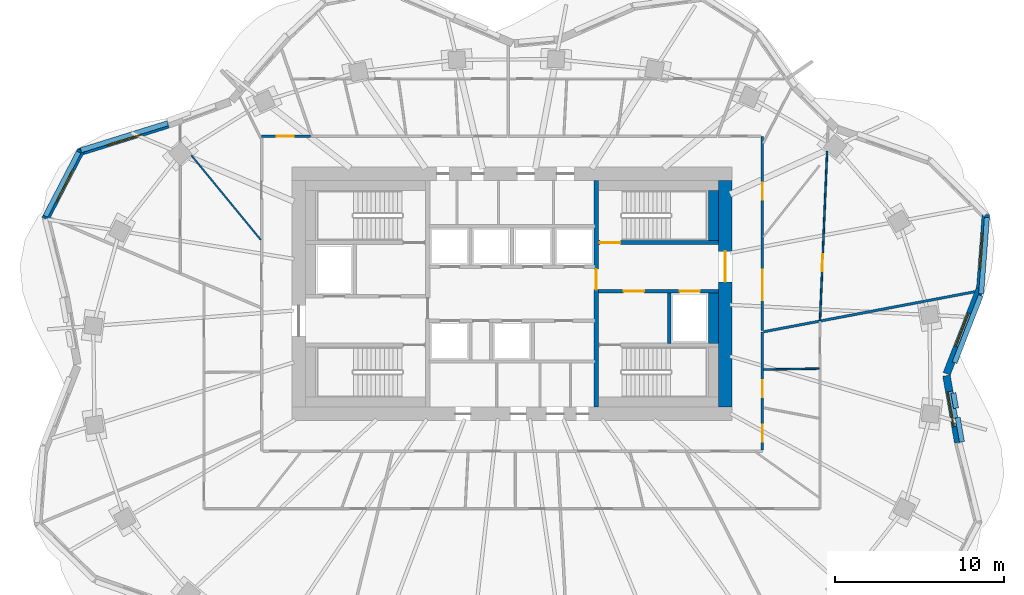
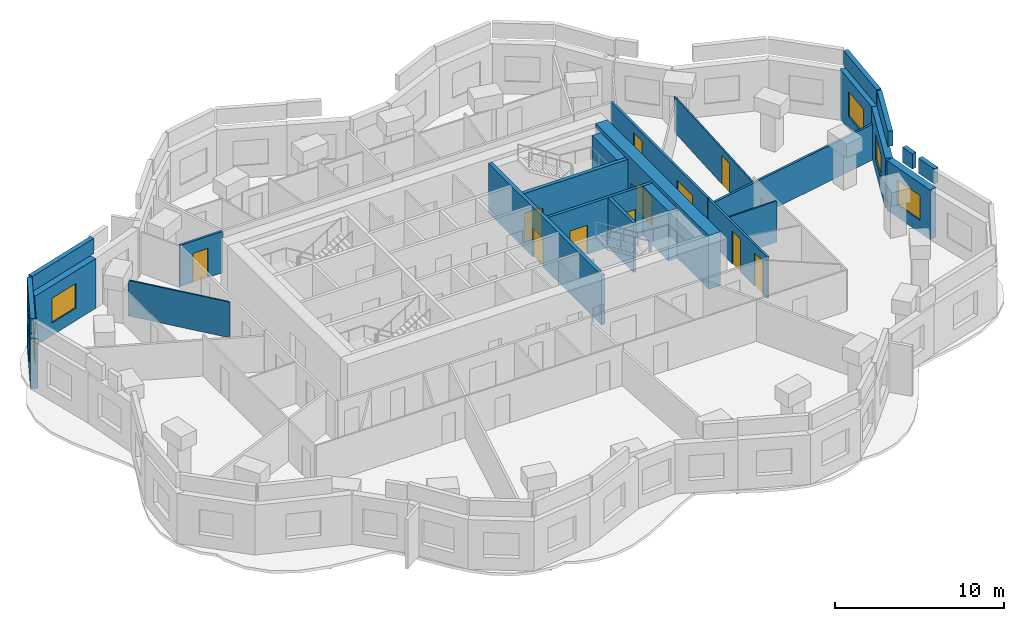
# One storey, part 7 of 11: 25 walls, 11 doors, 5 windows, 16 openings.
"""IFC4 building model written with IfcOpenShell, lengths in metres."""

from ifc_helpers import new_model, si_unit, direction, frame, frame_2d, origin, place, context, subcontext, project, spatial, rectangle, extrude, material, layer, layer_set, type_object, element, fill, save


model = new_model("IFC4")

# Units and contexts
model_context = context("Model", 3, precision=1e-05, world=origin(), true_north=direction((0.0, 1.0)))
body_context = subcontext(model_context, "Body", "Model", "MODEL_VIEW")
ifc_project = project(units=[si_unit("LENGTHUNIT", "METRE"), si_unit("AREAUNIT", "SQUARE_METRE"), si_unit("VOLUMEUNIT", "CUBIC_METRE"), si_unit("PLANEANGLEUNIT", "RADIAN"), si_unit("MASSUNIT", "GRAM", prefix="KILO")], contexts=[model_context])

# Site, building, storey
site_placement = place(None, origin())
site = spatial("IfcSite", under=ifc_project, at=site_placement, CompositionType="ELEMENT")
building_placement = place(site_placement, origin())
building = spatial("IfcBuilding", under=site, at=building_placement, Name="Rubra Terraces Tower", CompositionType="ELEMENT")
storey_placement = place(building_placement, frame((0.0, 0.0, 260.39990234375)))
storey = spatial("IfcBuildingStorey", under=building, at=storey_placement, Name="L64", CompositionType="ELEMENT", Elevation=260.39990234375)

# Wall, opening, window
ifc_material_1 = material(Name="Brick masonry red-brown", Category="masonry")
ifc_layer_1 = layer(ifc_material_1, 0.449951171875)
ifc_layer_set_1 = layer_set([ifc_layer_1], Name="Brick masonry red-brown")
wall_type_1 = type_object("IfcWallType", Name="Brick facade wall 450", PredefinedType="SOLIDWALL", material=ifc_layer_set_1)
wall_1_placement = place(storey_placement, frame((25.68701171875, -0.226318359375, 0.0), z_axis=(0.0, 0.0, 1.0), x_axis=(0.363500194409, 0.931594122279, 0.0)))
wall_1 = element("IfcWall", 1, at=wall_1_placement, inside=storey, type_object=wall_type_1, Name="Facade wall L64 bay 1", PredefinedType="SOLIDWALL", context=body_context, shape_type="SweptSolid", body=[
    extrude(rectangle(XDim=5.498779296875, YDim=0.449951171875, at=frame_2d((2.74951171875, 0.0))), origin(), (0.0, 0.0, 1.0), 3.60009765625),
])
opening_1_placement = place(wall_1_placement, frame((1.69921875, 0.0, 0.89990234375)))
opening_1 = element("IfcOpeningElement", 2, at=opening_1_placement, cuts=wall_1, Name="Opening W1Z", PredefinedType="OPENING", context=body_context, shape_type="SweptSolid", body=[
    extrude(rectangle(XDim=2.10009765625, YDim=1.800048828125, at=frame_2d((1.050048828125, 0.89990234375))), frame((0.0, 0.23486328125, 0.0), z_axis=(0.0, -1.0, 0.0), x_axis=(1.0, 0.0, 0.0)), (0.0, 0.0, 1.0), 0.469970703125),
])
ifc_material_2 = material(Name="Clear glass in aluminium frame", Category="aluminium")
window_type = type_object("IfcWindowType", Name="Fixed deep-set window under transfer level 2100 x 1800", PartitioningType="SINGLE_PANEL", PredefinedType="WINDOW", material=ifc_material_2)
window_1_placement = place(opening_1_placement, origin())
window_1 = element("IfcWindow", 3, at=window_1_placement, inside=storey, type_object=window_type, Name="Window L64 bay 1", OverallHeight=1.800048828125, OverallWidth=2.10009765625, PartitioningType="SINGLE_PANEL", PredefinedType="WINDOW", context=body_context, shape_type="SweptSolid", body=[
    extrude(rectangle(XDim=2.10009765625, YDim=1.800048828125, at=frame_2d((1.050048828125, 0.89990234375))), frame((0.0, 0.135009765625, 0.0), z_axis=(0.0, -1.0, 0.0), x_axis=(1.0, 0.0, 0.0)), (0.0, 0.0, 1.0), 0.06005859375),
])
fill(opening_1, window_1)

wall_2_placement = place(storey_placement, frame((27.671142578125, 4.831298828125, 0.0), z_axis=(0.0, 0.0, 1.0), x_axis=(0.075658122047, 0.997133816781, 0.0)))
wall_2 = element("IfcWall", 4, at=wall_2_placement, inside=storey, type_object=wall_type_1, Name="Facade wall L64 bay 2", PredefinedType="SOLIDWALL", context=body_context, shape_type="SweptSolid", body=[
    extrude(rectangle(XDim=4.369140625, YDim=0.449951171875, at=frame_2d((2.1845703125, 0.0))), origin(), (0.0, 0.0, 1.0), 3.60009765625),
])
opening_2_placement = place(wall_2_placement, frame((1.134521484375, 0.0, 0.89990234375)))
opening_2 = element("IfcOpeningElement", 5, at=opening_2_placement, cuts=wall_2, Name="Opening W1Z", PredefinedType="OPENING", context=body_context, shape_type="SweptSolid", body=[
    extrude(rectangle(XDim=2.10009765625, YDim=1.800048828125, at=frame_2d((1.050048828125, 0.89990234375))), frame((0.0, 0.23486328125, 0.0), z_axis=(0.0, -1.0, 0.0), x_axis=(1.0, 0.0, 0.0)), (0.0, 0.0, 1.0), 0.469970703125),
])
window_2_placement = place(opening_2_placement, origin())
window_2 = element("IfcWindow", 6, at=window_2_placement, inside=storey, type_object=window_type, Name="Window L64 bay 2", OverallHeight=1.800048828125, OverallWidth=2.10009765625, PartitioningType="SINGLE_PANEL", PredefinedType="WINDOW", context=body_context, shape_type="SweptSolid", body=[
    extrude(rectangle(XDim=2.10009765625, YDim=1.800048828125, at=frame_2d((1.050048828125, 0.89990234375))), frame((0.0, 0.135009765625, 0.0), z_axis=(0.0, -1.0, 0.0), x_axis=(1.0, 0.0, 0.0)), (0.0, 0.0, 1.0), 0.06005859375),
])
fill(opening_2, window_2)

wall_3_placement = place(storey_placement, frame((-20.31591796875, 14.506591796875, 0.0), z_axis=(0.0, 0.0, 1.0), x_axis=(-0.954807195185, -0.297225873743, 0.0)))
wall_3 = element("IfcWall", 7, at=wall_3_placement, inside=storey, type_object=wall_type_1, Name="Facade wall L64 bay 17", PredefinedType="SOLIDWALL", context=body_context, shape_type="SweptSolid", body=[
    extrude(rectangle(XDim=5.5263671875, YDim=0.449951171875, at=frame_2d((2.76318359375, 0.0))), origin(), (0.0, 0.0, 1.0), 3.60009765625),
])
opening_3_placement = place(wall_3_placement, frame((1.713134765625, 0.0, 0.89990234375)))
opening_3 = element("IfcOpeningElement", 8, at=opening_3_placement, cuts=wall_3, Name="Opening W1Z", PredefinedType="OPENING", context=body_context, shape_type="SweptSolid", body=[
    extrude(rectangle(XDim=2.10009765625, YDim=1.800048828125, at=frame_2d((1.050048828125, 0.89990234375))), frame((0.0, 0.23486328125, 0.0), z_axis=(0.0, -1.0, 0.0), x_axis=(1.0, 0.0, 0.0)), (0.0, 0.0, 1.0), 0.469970703125),
])
window_3_placement = place(opening_3_placement, origin())
window_3 = element("IfcWindow", 9, at=window_3_placement, inside=storey, type_object=window_type, Name="Window L64 bay 17", OverallHeight=1.800048828125, OverallWidth=2.10009765625, PartitioningType="SINGLE_PANEL", PredefinedType="WINDOW", context=body_context, shape_type="SweptSolid", body=[
    extrude(rectangle(XDim=2.10009765625, YDim=1.800048828125, at=frame_2d((1.050048828125, 0.89990234375))), frame((0.0, 0.135009765625, 0.0), z_axis=(0.0, -1.0, 0.0), x_axis=(1.0, 0.0, 0.0)), (0.0, 0.0, 1.0), 0.06005859375),
])
fill(opening_3, window_3)

wall_4_placement = place(storey_placement, frame((-25.46533203125, 12.97314453125, 0.0), z_axis=(0.0, 0.0, 1.0), x_axis=(-0.461288789222, -0.887250050965, 0.0)))
wall_4 = element("IfcWall", 10, at=wall_4_placement, inside=storey, type_object=wall_type_1, Name="Facade wall L64 bay 18", PredefinedType="SOLIDWALL", context=body_context, shape_type="SweptSolid", body=[
    extrude(rectangle(XDim=4.568115234375, YDim=0.449951171875, at=frame_2d((2.2841796875, 0.0))), origin(), (0.0, 0.0, 1.0), 3.60009765625),
])
opening_4_placement = place(wall_4_placement, frame((1.23388671875, 0.0, 0.89990234375)))
opening_4 = element("IfcOpeningElement", 11, at=opening_4_placement, cuts=wall_4, Name="Opening W1Z", PredefinedType="OPENING", context=body_context, shape_type="SweptSolid", body=[
    extrude(rectangle(XDim=2.10009765625, YDim=1.800048828125, at=frame_2d((1.050048828125, 0.89990234375))), frame((0.0, 0.23486328125, 0.0), z_axis=(0.0, -1.0, 0.0), x_axis=(1.0, 0.0, 0.0)), (0.0, 0.0, 1.0), 0.469970703125),
])
window_4_placement = place(opening_4_placement, origin())
window_4 = element("IfcWindow", 12, at=window_4_placement, inside=storey, type_object=window_type, Name="Window L64 bay 18", OverallHeight=1.800048828125, OverallWidth=2.10009765625, PartitioningType="SINGLE_PANEL", PredefinedType="WINDOW", context=body_context, shape_type="SweptSolid", body=[
    extrude(rectangle(XDim=2.10009765625, YDim=1.800048828125, at=frame_2d((1.050048828125, 0.89990234375))), frame((0.0, 0.135009765625, 0.0), z_axis=(0.0, -1.0, 0.0), x_axis=(1.0, 0.0, 0.0)), (0.0, 0.0, 1.0), 0.06005859375),
])
fill(opening_4, window_4)

wall_5_placement = place(storey_placement, frame((26.3662109375, -4.28466796875, 0.0), z_axis=(0.0, 0.0, 1.0), x_axis=(-0.172902168926, 0.984939003178, 0.0)))
wall_5 = element("IfcWall", 13, at=wall_5_placement, inside=storey, type_object=wall_type_1, Name="Facade wall L64 bay 40", PredefinedType="SOLIDWALL", context=body_context, shape_type="SweptSolid", body=[
    extrude(rectangle(XDim=4.005859375, YDim=0.449951171875, at=frame_2d((2.0029296875, 0.0))), origin(), (0.0, 0.0, 1.0), 3.60009765625),
])
opening_5_placement = place(wall_5_placement, frame((0.952880859375, 0.0, 0.89990234375)))
opening_5 = element("IfcOpeningElement", 14, at=opening_5_placement, cuts=wall_5, Name="Opening W1Z", PredefinedType="OPENING", context=body_context, shape_type="SweptSolid", body=[
    extrude(rectangle(XDim=2.10009765625, YDim=1.800048828125, at=frame_2d((1.050048828125, 0.89990234375))), frame((0.0, 0.23486328125, 0.0), z_axis=(0.0, -1.0, 0.0), x_axis=(1.0, 0.0, 0.0)), (0.0, 0.0, 1.0), 0.469970703125),
])
window_5_placement = place(opening_5_placement, origin())
window_5 = element("IfcWindow", 15, at=window_5_placement, inside=storey, type_object=window_type, Name="Window L64 bay 40", OverallHeight=1.800048828125, OverallWidth=2.10009765625, PartitioningType="SINGLE_PANEL", PredefinedType="WINDOW", context=body_context, shape_type="SweptSolid", body=[
    extrude(rectangle(XDim=2.10009765625, YDim=1.800048828125, at=frame_2d((1.050048828125, 0.89990234375))), frame((0.0, 0.135009765625, 0.0), z_axis=(0.0, -1.0, 0.0), x_axis=(1.0, 0.0, 0.0)), (0.0, 0.0, 1.0), 0.06005859375),
])
fill(opening_5, window_5)

# Walls
ifc_layer_2 = layer(ifc_material_1, 0.300048828125)
ifc_layer_set_2 = layer_set([ifc_layer_2], Name="Brick masonry red-brown")
wall_type_2 = type_object("IfcWallType", Name="Brick parapet 300", PredefinedType="PARAPET", material=ifc_layer_set_2)
wall_6_placement = place(storey_placement, frame((26.149658203125, 0.429443359375, 3.900146484375), z_axis=(0.0, 0.0, 1.0), x_axis=(0.36347212441, 0.931605074469, 0.0)))
element("IfcWall", 16, at=wall_6_placement, inside=storey, type_object=wall_type_2, Name="Parapet L64 bay 1", PredefinedType="PARAPET", context=body_context, shape_type="SweptSolid", body=[
    extrude(rectangle(XDim=4.259765625, YDim=0.300048828125, at=frame_2d((2.1298828125, 0.0))), origin(), (0.0, 0.0, 1.0), 1.099853515625),
])
wall_7_placement = place(storey_placement, frame((27.72119140625, 4.498779296875, 3.900146484375), z_axis=(0.0, 0.0, 1.0), x_axis=(0.075645081273, 0.997134806172, 0.0)))
element("IfcWall", 17, at=wall_7_placement, inside=storey, type_object=wall_type_2, Name="Parapet L64 bay 2", PredefinedType="PARAPET", context=body_context, shape_type="SweptSolid", body=[
    extrude(rectangle(XDim=4.528076171875, YDim=0.300048828125, at=frame_2d((2.26416015625, 0.0))), origin(), (0.0, 0.0, 1.0), 1.099853515625),
])
wall_8_placement = place(storey_placement, frame((-20.33984375, 14.577392578125, 3.900146484375), z_axis=(0.0, 0.0, 1.0), x_axis=(-0.95482441974, -0.297170536002, 0.0)))
element("IfcWall", 18, at=wall_8_placement, inside=storey, type_object=wall_type_2, Name="Parapet L64 bay 17", PredefinedType="PARAPET", context=body_context, shape_type="SweptSolid", body=[
    extrude(rectangle(XDim=5.37548828125, YDim=0.300048828125, at=frame_2d((2.687744140625, 0.0))), origin(), (0.0, 0.0, 1.0), 1.099853515625),
])
wall_9_placement = place(storey_placement, frame((-25.603515625, 12.870361328125, 3.900146484375), z_axis=(0.0, 0.0, 1.0), x_axis=(-0.461201502261, -0.887295426739, 0.0)))
element("IfcWall", 19, at=wall_9_placement, inside=storey, type_object=wall_type_2, Name="Parapet L64 bay 18", PredefinedType="PARAPET", context=body_context, shape_type="SweptSolid", body=[
    extrude(rectangle(XDim=4.269775390625, YDim=0.300048828125, at=frame_2d((2.134765625, 0.0))), origin(), (0.0, 0.0, 1.0), 1.099853515625),
])
wall_10_placement = place(storey_placement, frame((26.589111328125, -4.253662109375, 3.900146484375), z_axis=(0.0, 0.0, 1.0), x_axis=(-0.17277677015, 0.984961008211, 0.0)))
element("IfcWall", 20, at=wall_10_placement, inside=storey, type_object=wall_type_2, Name="Parapet L64 bay 40", PredefinedType="PARAPET", context=body_context, shape_type="SweptSolid", body=[
    extrude(rectangle(XDim=1.4638671875, YDim=0.300048828125, at=frame_2d((0.73193359375, 0.0))), origin(), (0.0, 0.0, 1.0), 1.099853515625),
])
wall_11_placement = place(storey_placement, frame((26.2392578125, -2.260009765625, 3.900146484375), z_axis=(0.0, 0.0, 1.0), x_axis=(-0.172849805857, 0.984948193874, 0.0)))
element("IfcWall", 21, at=wall_11_placement, inside=storey, type_object=wall_type_2, Name="Parapet L64 bay 40.2", PredefinedType="PARAPET", context=body_context, shape_type="SweptSolid", body=[
    extrude(rectangle(XDim=0.908203125, YDim=0.300048828125, at=frame_2d((0.4541015625, 0.0))), origin(), (0.0, 0.0, 1.0), 1.099853515625),
])

# Wall, opening, door
ifc_material_3 = material(Name="Concrete C50", Category="concrete")
ifc_layer_3 = layer(ifc_material_3, 0.800048828125)
ifc_layer_set_3 = layer_set([ifc_layer_3], Name="Concrete C50")
wall_type_3 = type_object("IfcWallType", Name="CORE WALL 800 C50", PredefinedType="SHEAR", material=ifc_layer_set_3)
wall_12_placement = place(storey_placement, frame((12.60009765625, -2.199951171875, 0.0), z_axis=(0.0, 0.0, 1.0), x_axis=(0.0, 1.0, 0.0)))
wall_12 = element("IfcWall", 22, at=wall_12_placement, inside=storey, type_object=wall_type_3, Name="CORE WALL E L64", PredefinedType="SHEAR", context=body_context, shape_type="SweptSolid", body=[
    extrude(rectangle(XDim=13.39990234375, YDim=0.800048828125, at=frame_2d((6.699951171875, 0.0))), origin(), (0.0, 0.0, 1.0), 3.900146484375),
])
opening_6_placement = place(wall_12_placement, frame((7.39990234375, 0.0, 0.0)))
opening_6 = element("IfcOpeningElement", 23, at=opening_6_placement, cuts=wall_12, Name="Opening L64.C02", PredefinedType="OPENING", context=body_context, shape_type="SweptSolid", body=[
    extrude(rectangle(XDim=1.800048828125, YDim=2.10009765625, at=frame_2d((0.89990234375, 1.050048828125))), frame((0.0, 0.409912109375, 0.0), z_axis=(0.0, -1.0, 0.0), x_axis=(1.0, 0.0, 0.0)), (0.0, 0.0, 1.0), 0.820068359375),
])
ifc_material_4 = material(Name="Painted steel", Category="steel")
door_type_1 = type_object("IfcDoorType", Name="Fire door 1800x2100 double", OperationType="NOTDEFINED", PredefinedType="DOOR", material=ifc_material_4)
door_1_placement = place(opening_6_placement, origin())
door_1 = element("IfcDoor", 24, at=door_1_placement, inside=storey, type_object=door_type_1, Name="Core entrance door FF2", OperationType="DOUBLE_DOOR_SINGLE_SWING", OverallHeight=2.10009765625, OverallWidth=1.800048828125, PredefinedType="DOOR", context=body_context, shape_type="SweptSolid", body=[
    extrude(rectangle(XDim=1.800048828125, YDim=2.10009765625, at=frame_2d((0.89990234375, 1.050048828125))), frame((0.0, 0.02490234375, 0.0), z_axis=(0.0, -1.0, 0.0), x_axis=(1.0, 0.0, 0.0)), (0.0, 0.0, 1.0), 0.050048828125),
])
fill(opening_6, door_1)

ifc_material_5 = material(Name="Plasterboard on steel stud, mineral wool infill", Category="steel")
ifc_layer_4 = layer(ifc_material_5, 0.14990234375)
ifc_layer_set_4 = layer_set([ifc_layer_4], Name="Plasterboard on steel stud, mineral wool infill")
wall_type_4 = type_object("IfcWallType", Name="CORRIDOR PARTITION 150", PredefinedType="PARTITIONING", material=ifc_layer_set_4)
wall_13_placement = place(storey_placement, frame((-11.911865234375, 13.800048828125, 0.0), z_axis=(0.0, 0.0, 1.0), x_axis=(-1.0, 0.0, 0.0)))
wall_13 = element("IfcWall", 25, at=wall_13_placement, inside=storey, type_object=wall_type_4, Name="PARTITION", PredefinedType="PARTITIONING", context=body_context, shape_type="SweptSolid", body=[
    extrude(rectangle(XDim=2.88818359375, YDim=0.14990234375, at=frame_2d((1.444091796875, 0.0))), origin(), (0.0, 0.0, 1.0), 2.984130859375),
])
opening_7_placement = place(wall_13_placement, frame((0.992919921875, 0.0, 0.0)))
opening_7 = element("IfcOpeningElement", 26, at=opening_7_placement, cuts=wall_13, Name="Opening 64-110", PredefinedType="OPENING", context=body_context, shape_type="SweptSolid", body=[
    extrude(rectangle(XDim=1.0, YDim=2.10009765625, at=frame_2d((0.5, 1.050048828125))), frame((0.0, 0.0849609375, 0.0), z_axis=(0.0, -1.0, 0.0), x_axis=(1.0, 0.0, 0.0)), (0.0, 0.0, 1.0), 0.169921875),
])
ifc_material_6 = material(Name="Painted timber door leaf", Category="wood")
door_type_2 = type_object("IfcDoorType", Name="ROOM DOOR 1000 X 2100", OperationType="SINGLE_SWING_LEFT", PredefinedType="DOOR", material=ifc_material_6)
door_2_placement = place(opening_7_placement, origin())
door_2 = element("IfcDoor", 27, at=door_2_placement, inside=storey, type_object=door_type_2, Name="DOOR 64-110", OperationType="SINGLE_SWING_RIGHT", OverallHeight=2.10009765625, OverallWidth=1.0, PredefinedType="DOOR", context=body_context, shape_type="SweptSolid", body=[
    extrude(rectangle(XDim=1.0, YDim=2.10009765625, at=frame_2d((0.5, 1.050048828125))), frame((0.0, 0.02490234375, 0.0), z_axis=(0.0, -1.0, 0.0), x_axis=(1.0, 0.0, 0.0)), (0.0, 0.0, 1.0), 0.050048828125),
])
fill(opening_7, door_2)

# Wall, openings, doors
wall_14_placement = place(storey_placement, frame((14.800048828125, -4.72509765625, 0.0), z_axis=(0.0, 0.0, 1.0), x_axis=(0.0, 1.0, 0.0)))
wall_14 = element("IfcWall", 28, at=wall_14_placement, inside=storey, type_object=wall_type_4, Name="PARTITION", PredefinedType="PARTITIONING", context=body_context, shape_type="SweptSolid", body=[
    extrude(rectangle(XDim=6.96826171875, YDim=0.14990234375, at=frame_2d((3.484130859375, 0.0))), origin(), (0.0, 0.0, 1.0), 2.984130859375),
])
opening_8_placement = place(wall_14_placement, frame((0.472900390625, 0.0, 0.0)))
opening_8 = element("IfcOpeningElement", 29, at=opening_8_placement, cuts=wall_14, Name="Opening 64-129", PredefinedType="OPENING", context=body_context, shape_type="SweptSolid", body=[
    extrude(rectangle(XDim=1.0, YDim=2.39990234375, at=frame_2d((0.5, 1.199951171875))), frame((0.0, 0.0849609375, 0.0), z_axis=(0.0, -1.0, 0.0), x_axis=(1.0, 0.0, 0.0)), (0.0, 0.0, 1.0), 0.169921875),
])
opening_9_placement = place(wall_14_placement, frame((3.123046875, 0.0, 0.0)))
opening_9 = element("IfcOpeningElement", 30, at=opening_9_placement, cuts=wall_14, Name="Opening 64-130", PredefinedType="OPENING", context=body_context, shape_type="SweptSolid", body=[
    extrude(rectangle(XDim=1.0, YDim=2.39990234375, at=frame_2d((0.5, 1.199951171875))), frame((0.0, 0.0849609375, 0.0), z_axis=(0.0, -1.0, 0.0), x_axis=(1.0, 0.0, 0.0)), (0.0, 0.0, 1.0), 0.169921875),
])
ifc_material_7 = material(Name="Glazed aluminium meeting door leaf", Category="aluminium")
door_type_3 = type_object("IfcDoorType", Name="MEETING ROOM GLAZED DOOR 1000 X 2400", OperationType="SINGLE_SWING_LEFT", PredefinedType="DOOR", material=ifc_material_7)
door_3_placement = place(opening_8_placement, origin())
door_3 = element("IfcDoor", 31, at=door_3_placement, inside=storey, type_object=door_type_3, Name="DOOR 64-129", OperationType="SINGLE_SWING_RIGHT", OverallHeight=2.39990234375, OverallWidth=1.0, PredefinedType="DOOR", context=body_context, shape_type="SweptSolid", body=[
    extrude(rectangle(XDim=1.0, YDim=2.39990234375, at=frame_2d((0.5, 1.199951171875))), frame((0.0, 0.02490234375, 0.0), z_axis=(0.0, -1.0, 0.0), x_axis=(1.0, 0.0, 0.0)), (0.0, 0.0, 1.0), 0.050048828125),
])
fill(opening_8, door_3)
door_4_placement = place(opening_9_placement, origin())
door_4 = element("IfcDoor", 32, at=door_4_placement, inside=storey, type_object=door_type_3, Name="DOOR 64-130", OperationType="SINGLE_SWING_RIGHT", OverallHeight=2.39990234375, OverallWidth=1.0, PredefinedType="DOOR", context=body_context, shape_type="SweptSolid", body=[
    extrude(rectangle(XDim=1.0, YDim=2.39990234375, at=frame_2d((0.5, 1.199951171875))), frame((0.0, 0.02490234375, 0.0), z_axis=(0.0, -1.0, 0.0), x_axis=(1.0, 0.0, 0.0)), (0.0, 0.0, 1.0), 0.050048828125),
])
fill(opening_9, door_4)

wall_15_placement = place(storey_placement, frame((14.800048828125, 2.318115234375, 0.0), z_axis=(0.0, 0.0, 1.0), x_axis=(0.0, 1.0, 0.0)))
wall_15 = element("IfcWall", 33, at=wall_15_placement, inside=storey, type_object=wall_type_4, Name="PARTITION", PredefinedType="PARTITIONING", context=body_context, shape_type="SweptSolid", body=[
    extrude(rectangle(XDim=11.48193359375, YDim=0.14990234375, at=frame_2d((5.740966796875, 0.0))), origin(), (0.0, 0.0, 1.0), 2.984130859375),
])
opening_10_placement = place(wall_15_placement, frame((1.805908203125, 0.0, 0.0)))
opening_10 = element("IfcOpeningElement", 34, at=opening_10_placement, cuts=wall_15, Name="Opening 64-132", PredefinedType="OPENING", context=body_context, shape_type="SweptSolid", body=[
    extrude(rectangle(XDim=1.800048828125, YDim=2.10009765625, at=frame_2d((0.89990234375, 1.050048828125))), frame((0.0, 0.0849609375, 0.0), z_axis=(0.0, -1.0, 0.0), x_axis=(1.0, 0.0, 0.0)), (0.0, 0.0, 1.0), 0.169921875),
])
opening_11_placement = place(wall_15_placement, frame((7.748046875, 0.0, 0.0)))
opening_11 = element("IfcOpeningElement", 35, at=opening_11_placement, cuts=wall_15, Name="Opening 64-134", PredefinedType="OPENING", context=body_context, shape_type="SweptSolid", body=[
    extrude(rectangle(XDim=1.0, YDim=2.39990234375, at=frame_2d((0.5, 1.199951171875))), frame((0.0, 0.0849609375, 0.0), z_axis=(0.0, -1.0, 0.0), x_axis=(1.0, 0.0, 0.0)), (0.0, 0.0, 1.0), 0.169921875),
])
door_5_placement = place(opening_11_placement, origin())
door_5 = element("IfcDoor", 36, at=door_5_placement, inside=storey, type_object=door_type_3, Name="DOOR 64-134", OperationType="SINGLE_SWING_RIGHT", OverallHeight=2.39990234375, OverallWidth=1.0, PredefinedType="DOOR", context=body_context, shape_type="SweptSolid", body=[
    extrude(rectangle(XDim=1.0, YDim=2.39990234375, at=frame_2d((0.5, 1.199951171875))), frame((0.0, 0.02490234375, 0.0), z_axis=(0.0, -1.0, 0.0), x_axis=(1.0, 0.0, 0.0)), (0.0, 0.0, 1.0), 0.050048828125),
])
fill(opening_11, door_5)
ifc_material_8 = material(Name="Painted timber door leaf, double", Category="wood")
door_type_4 = type_object("IfcDoorType", Name="ROOM DOUBLE DOOR 1800 X 2100", OperationType="DOUBLE_DOOR_SINGLE_SWING", PredefinedType="DOOR", material=ifc_material_8)
door_6_placement = place(opening_10_placement, origin())
door_6 = element("IfcDoor", 37, at=door_6_placement, inside=storey, type_object=door_type_4, Name="DOOR 64-132", OperationType="DOUBLE_DOOR_SINGLE_SWING", OverallHeight=2.10009765625, OverallWidth=1.800048828125, PredefinedType="DOOR", context=body_context, shape_type="SweptSolid", body=[
    extrude(rectangle(XDim=1.800048828125, YDim=2.10009765625, at=frame_2d((0.89990234375, 1.050048828125))), frame((0.0, 0.02490234375, 0.0), z_axis=(0.0, -1.0, 0.0), x_axis=(1.0, 0.0, 0.0)), (0.0, 0.0, 1.0), 0.050048828125),
])
fill(opening_10, door_6)

# Walls
ifc_material_9 = material(Name="Concrete C40", Category="concrete")
ifc_layer_5 = layer(ifc_material_9, 0.60009765625)
ifc_layer_set_5 = layer_set([ifc_layer_5], Name="Concrete C40")
wall_type_5 = type_object("IfcWallType", Name="Core lining wall 600 concrete", PredefinedType="SOLIDWALL", material=ifc_layer_set_5)
wall_16_placement = place(storey_placement, frame((11.89990234375, 10.60009765625, 0.0), z_axis=(0.0, 0.0, 1.0), x_axis=(0.0, -1.0, 0.0)))
element("IfcWall", 38, at=wall_16_placement, inside=storey, type_object=wall_type_5, Name="CORE LINING WALL L64", PredefinedType="SOLIDWALL", context=body_context, shape_type="SweptSolid", body=[
    extrude(rectangle(XDim=2.9501953125, YDim=0.60009765625, at=frame_2d((1.47509765625, 0.0))), origin(), (0.0, 0.0, 1.0), 3.60009765625),
])
wall_17_placement = place(storey_placement, frame((11.89990234375, 4.550048828125, 0.0), z_axis=(0.0, 0.0, 1.0), x_axis=(0.0, -1.0, 0.0)))
element("IfcWall", 39, at=wall_17_placement, inside=storey, type_object=wall_type_5, Name="CORE LINING WALL L64", PredefinedType="SOLIDWALL", context=body_context, shape_type="SweptSolid", body=[
    extrude(rectangle(XDim=3.0, YDim=0.60009765625, at=frame_2d((1.5, 0.0))), origin(), (0.0, 0.0, 1.0), 3.60009765625),
])

# Wall, openings, doors
ifc_material_10 = material(Name="Concrete C30", Category="concrete")
ifc_layer_6 = layer(ifc_material_10, 0.199951171875)
ifc_layer_set_6 = layer_set([ifc_layer_6], Name="Concrete C30")
wall_type_6 = type_object("IfcWallType", Name="Core wall 200 concrete", PredefinedType="SOLIDWALL", material=ifc_layer_set_6)
wall_18_placement = place(storey_placement, frame((12.199951171875, 4.64990234375, 0.0), z_axis=(0.0, 0.0, 1.0), x_axis=(-1.0, 0.0, 0.0)))
wall_18 = element("IfcWall", 40, at=wall_18_placement, inside=storey, type_object=wall_type_6, Name="STAIR WALL L64", PredefinedType="SOLIDWALL", context=body_context, shape_type="SweptSolid", body=[
    extrude(rectangle(XDim=7.099853515625, YDim=0.199951171875, at=frame_2d((3.5498046875, 0.0))), origin(), (0.0, 0.0, 1.0), 3.60009765625),
])
opening_12_placement = place(wall_18_placement, frame((4.39990234375, 0.0, 0.0)))
opening_12 = element("IfcOpeningElement", 41, at=opening_12_placement, cuts=wall_18, Name="Opening L64.C06", PredefinedType="OPENING", context=body_context, shape_type="SweptSolid", body=[
    extrude(rectangle(XDim=1.199951171875, YDim=2.10009765625, at=frame_2d((0.60009765625, 1.050048828125))), frame((0.0, 0.10986328125, 0.0), z_axis=(0.0, -1.0, 0.0), x_axis=(1.0, 0.0, 0.0)), (0.0, 0.0, 1.0), 0.219970703125),
])
opening_13_placement = place(wall_18_placement, frame((1.10009765625, 0.0, 0.0)))
opening_13 = element("IfcOpeningElement", 42, at=opening_13_placement, cuts=wall_18, Name="Opening L64.C12", PredefinedType="OPENING", context=body_context, shape_type="SweptSolid", body=[
    extrude(rectangle(XDim=1.199951171875, YDim=2.10009765625, at=frame_2d((0.60009765625, 1.050048828125))), frame((0.0, 0.10986328125, 0.0), z_axis=(0.0, -1.0, 0.0), x_axis=(1.0, 0.0, 0.0)), (0.0, 0.0, 1.0), 0.219970703125),
])
door_type_5 = type_object("IfcDoorType", Name="Fire door 1200x2100 single", OperationType="NOTDEFINED", PredefinedType="DOOR", material=ifc_material_4)
door_7_placement = place(opening_12_placement, origin())
door_7 = element("IfcDoor", 43, at=door_7_placement, inside=storey, type_object=door_type_5, Name="Stair vestibule door S4", OperationType="SINGLE_SWING_RIGHT", OverallHeight=2.10009765625, OverallWidth=1.199951171875, PredefinedType="DOOR", context=body_context, shape_type="SweptSolid", body=[
    extrude(rectangle(XDim=1.199951171875, YDim=2.10009765625, at=frame_2d((0.60009765625, 1.050048828125))), frame((0.0, 0.02490234375, 0.0), z_axis=(0.0, -1.0, 0.0), x_axis=(1.0, 0.0, 0.0)), (0.0, 0.0, 1.0), 0.050048828125),
])
fill(opening_12, door_7)
ifc_material_11 = material(Name="Stainless steel", Category="steel")
door_type_6 = type_object("IfcDoorType", Name="Lift landing door 1200x2100", OperationType="NOTDEFINED", PredefinedType="DOOR", material=ifc_material_11)
door_8_placement = place(opening_13_placement, origin())
door_8 = element("IfcDoor", 44, at=door_8_placement, inside=storey, type_object=door_type_6, Name="Landing door FF2", OperationType="SLIDING_TO_RIGHT", OverallHeight=2.10009765625, OverallWidth=1.199951171875, PredefinedType="DOOR", context=body_context, shape_type="SweptSolid", body=[
    extrude(rectangle(XDim=1.199951171875, YDim=2.10009765625, at=frame_2d((0.60009765625, 1.050048828125))), frame((0.0, 0.02490234375, 0.0), z_axis=(0.0, -1.0, 0.0), x_axis=(1.0, 0.0, 0.0)), (0.0, 0.0, 1.0), 0.050048828125),
])
fill(opening_13, door_8)

# Walls
wall_19_placement = place(storey_placement, frame((9.300048828125, 4.550048828125, 0.0), z_axis=(0.0, 0.0, 1.0), x_axis=(0.0, -1.0, 0.0)))
element("IfcWall", 45, at=wall_19_placement, inside=storey, type_object=wall_type_6, Name="STAIR WALL L64", PredefinedType="SOLIDWALL", context=body_context, shape_type="SweptSolid", body=[
    extrude(rectangle(XDim=3.0, YDim=0.199951171875, at=frame_2d((1.5, 0.0))), origin(), (0.0, 0.0, 1.0), 3.60009765625),
])
ifc_material_12 = material(Name="Plasterboard on steel stud", Category="steel")
ifc_layer_7 = layer(ifc_material_12, 0.10009765625)
ifc_layer_set_7 = layer_set([ifc_layer_7], Name="Plasterboard on steel stud")
wall_type_7 = type_object("IfcWallType", Name="ROOM PARTITION 100", PredefinedType="PARTITIONING", material=ifc_layer_set_7)
wall_20_placement = place(storey_placement, frame((14.875, 0.02294921875, 0.0), z_axis=(0.0, 0.0, 1.0), x_axis=(0.999854310099, 0.017069228941, 0.0)))
element("IfcWall", 46, at=wall_20_placement, inside=storey, type_object=wall_type_7, Name="PARTITION", PredefinedType="PARTITIONING", context=body_context, shape_type="SweptSolid", body=[
    extrude(rectangle(XDim=3.275390625, YDim=0.10009765625, at=frame_2d((1.6376953125, 0.0))), origin(), (0.0, 0.0, 1.0), 2.984130859375),
])
ifc_layer_8 = layer(ifc_material_12, 0.10009765625)
ifc_layer_set_8 = layer_set([ifc_layer_8], Name="Plasterboard on steel stud")
wall_type_8 = type_object("IfcWallType", Name="ROOM PARTITION 100 LOW HEAD", PredefinedType="PARTITIONING", material=ifc_layer_set_8)
wall_21_placement = place(storey_placement, frame((-14.84765625, 7.688720703125, 0.0), z_axis=(0.0, 0.0, 1.0), x_axis=(-0.63471602348, 0.772745475262, 0.0)))
element("IfcWall", 47, at=wall_21_placement, inside=storey, type_object=wall_type_8, Name="PARTITION", PredefinedType="PARTITIONING", context=body_context, shape_type="SweptSolid", body=[
    extrude(rectangle(XDim=6.452392578125, YDim=0.10009765625, at=frame_2d((3.22607421875, 0.0))), origin(), (0.0, 0.0, 1.0), 2.580078125),
])

# Wall, opening, door
wall_22_placement = place(storey_placement, frame((18.618896484375, 12.92626953125, 0.0), z_axis=(0.0, 0.0, 1.0), x_axis=(-0.041781443757, -0.999126774217, 0.0)))
wall_22 = element("IfcWall", 48, at=wall_22_placement, inside=storey, type_object=wall_type_8, Name="PARTITION", PredefinedType="PARTITIONING", context=body_context, shape_type="SweptSolid", body=[
    extrude(rectangle(XDim=10.027099609375, YDim=0.10009765625, at=frame_2d((5.013671875, 0.0))), origin(), (0.0, 0.0, 1.0), 2.580078125),
])
opening_14_placement = place(wall_22_placement, frame((6.092041015625, 0.0, 0.0)))
opening_14 = element("IfcOpeningElement", 49, at=opening_14_placement, cuts=wall_22, Name="Opening 64-133", PredefinedType="OPENING", context=body_context, shape_type="SweptSolid", body=[
    extrude(rectangle(XDim=1.0, YDim=2.10009765625, at=frame_2d((0.5, 1.050048828125))), frame((0.0, 0.06005859375, 0.0), z_axis=(0.0, -1.0, 0.0), x_axis=(1.0, 0.0, 0.0)), (0.0, 0.0, 1.0), 0.1201171875),
])
door_9_placement = place(opening_14_placement, origin())
door_9 = element("IfcDoor", 50, at=door_9_placement, inside=storey, type_object=door_type_2, Name="DOOR 64-133", OperationType="SINGLE_SWING_LEFT", OverallHeight=2.10009765625, OverallWidth=1.0, PredefinedType="DOOR", context=body_context, shape_type="SweptSolid", body=[
    extrude(rectangle(XDim=1.0, YDim=2.10009765625, at=frame_2d((0.5, 1.050048828125))), frame((0.0, 0.02490234375, 0.0), z_axis=(0.0, -1.0, 0.0), x_axis=(1.0, 0.0, 0.0)), (0.0, 0.0, 1.0), 0.050048828125),
])
fill(opening_14, door_9)

# Wall
ifc_layer_9 = layer(ifc_material_12, 0.14990234375)
ifc_layer_set_9 = layer_set([ifc_layer_9], Name="Plasterboard on steel stud")
wall_type_9 = type_object("IfcWallType", Name="ROOM PARTITION 150 LOW HEAD", PredefinedType="PARTITIONING", material=ifc_layer_set_9)
wall_23_placement = place(storey_placement, frame((27.33154296875, 4.618408203125, 0.0), z_axis=(0.0, 0.0, 1.0), x_axis=(-0.982506027703, -0.186230785661, 0.0)))
element("IfcWall", 51, at=wall_23_placement, inside=storey, type_object=wall_type_9, Name="PARTITION", PredefinedType="PARTITIONING", context=body_context, shape_type="SweptSolid", body=[
    extrude(rectangle(XDim=12.6796875, YDim=0.14990234375, at=frame_2d((6.33984375, 0.0))), origin(), (0.0, 0.0, 1.0), 2.580078125),
])

# Wall, opening, door
ifc_layer_10 = layer(ifc_material_9, 0.25)
ifc_layer_set_10 = layer_set([ifc_layer_10], Name="Concrete C40")
wall_type_10 = type_object("IfcWallType", Name="Stair enclosure wall 250 concrete", PredefinedType="SOLIDWALL", material=ifc_layer_set_10)
wall_24_placement = place(storey_placement, frame((12.199951171875, 7.52490234375, 0.0), z_axis=(0.0, 0.0, 1.0), x_axis=(-1.0, 0.0, 0.0)))
wall_24 = element("IfcWall", 52, at=wall_24_placement, inside=storey, type_object=wall_type_10, Name="STAIR WALL L64", PredefinedType="SOLIDWALL", context=body_context, shape_type="SweptSolid", body=[
    extrude(rectangle(XDim=7.099853515625, YDim=0.25, at=frame_2d((3.5498046875, 0.0))), origin(), (0.0, 0.0, 1.0), 3.60009765625),
])
opening_15_placement = place(wall_24_placement, frame((5.800048828125, 0.0, 0.0)))
opening_15 = element("IfcOpeningElement", 53, at=opening_15_placement, cuts=wall_24, Name="Opening L64.C08", PredefinedType="OPENING", context=body_context, shape_type="SweptSolid", body=[
    extrude(rectangle(XDim=1.199951171875, YDim=2.10009765625, at=frame_2d((0.60009765625, 1.050048828125))), frame((0.0, 0.135009765625, 0.0), z_axis=(0.0, -1.0, 0.0), x_axis=(1.0, 0.0, 0.0)), (0.0, 0.0, 1.0), 0.27001953125),
])
door_10_placement = place(opening_15_placement, origin())
door_10 = element("IfcDoor", 54, at=door_10_placement, inside=storey, type_object=door_type_5, Name="Stair door S3", OperationType="SINGLE_SWING_RIGHT", OverallHeight=2.10009765625, OverallWidth=1.199951171875, PredefinedType="DOOR", context=body_context, shape_type="SweptSolid", body=[
    extrude(rectangle(XDim=1.199951171875, YDim=2.10009765625, at=frame_2d((0.60009765625, 1.050048828125))), frame((0.0, 0.02490234375, 0.0), z_axis=(0.0, -1.0, 0.0), x_axis=(1.0, 0.0, 0.0)), (0.0, 0.0, 1.0), 0.050048828125),
])
fill(opening_15, door_10)

wall_25_placement = place(storey_placement, frame((4.97509765625, 11.199951171875, 0.0), z_axis=(0.0, 0.0, 1.0), x_axis=(0.0, -1.0, 0.0)))
wall_25 = element("IfcWall", 55, at=wall_25_placement, inside=storey, type_object=wall_type_10, Name="CORE LOBBY WALL L64", PredefinedType="SOLIDWALL", context=body_context, shape_type="SweptSolid", body=[
    extrude(rectangle(XDim=13.39990234375, YDim=0.25, at=frame_2d((6.699951171875, 0.0))), origin(), (0.0, 0.0, 1.0), 3.60009765625),
])
opening_16_placement = place(wall_25_placement, frame((5.25, 0.0, 0.0)))
opening_16 = element("IfcOpeningElement", 56, at=opening_16_placement, cuts=wall_25, Name="Opening L64.C04", PredefinedType="OPENING", context=body_context, shape_type="SweptSolid", body=[
    extrude(rectangle(XDim=1.199951171875, YDim=2.10009765625, at=frame_2d((0.60009765625, 1.050048828125))), frame((0.0, 0.135009765625, 0.0), z_axis=(0.0, -1.0, 0.0), x_axis=(1.0, 0.0, 0.0)), (0.0, 0.0, 1.0), 0.27001953125),
])
door_11_placement = place(opening_16_placement, origin())
door_11 = element("IfcDoor", 57, at=door_11_placement, inside=storey, type_object=door_type_5, Name="Firefighting lobby door FF2", OperationType="SINGLE_SWING_RIGHT", OverallHeight=2.10009765625, OverallWidth=1.199951171875, PredefinedType="DOOR", context=body_context, shape_type="SweptSolid", body=[
    extrude(rectangle(XDim=1.199951171875, YDim=2.10009765625, at=frame_2d((0.60009765625, 1.050048828125))), frame((0.0, 0.02490234375, 0.0), z_axis=(0.0, -1.0, 0.0), x_axis=(1.0, 0.0, 0.0)), (0.0, 0.0, 1.0), 0.050048828125),
])
fill(opening_16, door_11)

save(model, "model.ifc")
